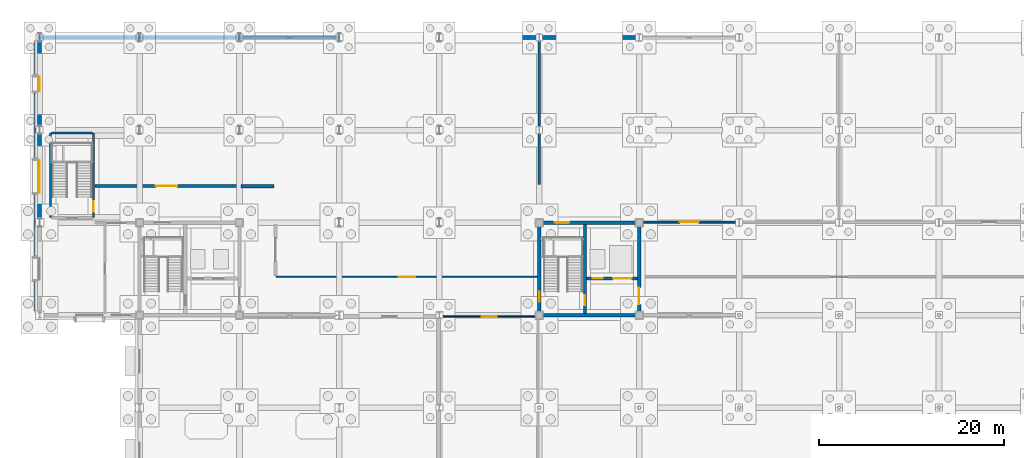
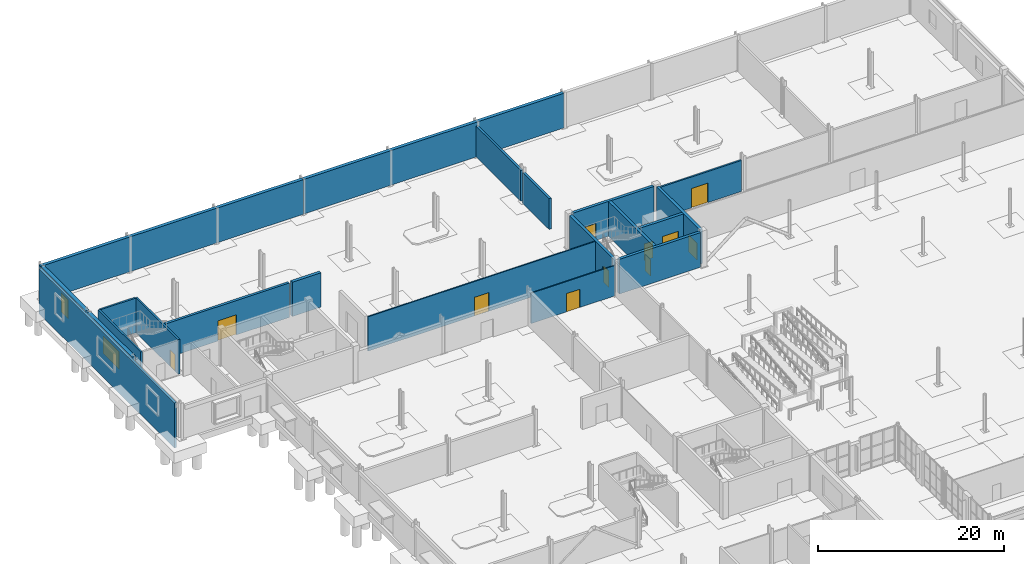
# One storey, part 56 of 73: 21 walls, 11 doors, 2 windows, 13 openings.
"""IFC4 building model written with IfcOpenShell, lengths in metres."""

from ifc_helpers import new_model, si_unit, direction, frame, frame_2d, origin, place, context, subcontext, project, spatial, rectangle, extrude, material, layer, layer_set, type_object, element, fill, save


model = new_model("IFC4")

# Units and contexts
model_context = context("Model", 3, precision=1e-05, world=origin(), true_north=direction((0.0, 1.0)))
body_context = subcontext(model_context, "Body", "Model", "MODEL_VIEW")
ifc_project = project(units=[si_unit("LENGTHUNIT", "METRE"), si_unit("AREAUNIT", "SQUARE_METRE"), si_unit("VOLUMEUNIT", "CUBIC_METRE"), si_unit("PLANEANGLEUNIT", "RADIAN"), si_unit("MASSUNIT", "GRAM", prefix="KILO")], contexts=[model_context])

# Site, building, storey
site_placement = place(None, origin())
site = spatial("IfcSite", under=ifc_project, at=site_placement, CompositionType="ELEMENT")
building_placement = place(site_placement, origin())
building = spatial("IfcBuilding", under=site, at=building_placement, Name="Tasgan Crest Museum", CompositionType="ELEMENT")
storey_placement = place(building_placement, origin())
storey = spatial("IfcBuildingStorey", under=building, at=storey_placement, Name="L00", CompositionType="ELEMENT", Elevation=0.0)

# Wall
ifc_material_1 = material(Name="Concrete C40/50", Category="concrete")
ifc_layer_1 = layer(ifc_material_1, 0.35009765625, Name="WL-CORE-350")
ifc_layer_set_1 = layer_set([ifc_layer_1], Name="Concrete C40/50")
wall_type_1 = type_object("IfcWallType", Name="WL-CORE-350", PredefinedType="SHEAR", material=ifc_layer_set_1)
wall_1_placement = place(storey_placement, frame((54.35009765625, 82.0, 0.0), z_axis=(0.0, 0.0, 1.0), x_axis=(1.0, 0.0, 0.0)))
element("IfcWall", 1, at=wall_1_placement, inside=storey, type_object=wall_type_1, Name="North-Central Sawtooth Core south shear wall L00", PredefinedType="SHEAR", context=body_context, shape_type="SweptSolid", body=[
    extrude(rectangle(XDim=10.099853515625, YDim=0.35009765625, at=frame_2d((5.0498046875, 0.0))), origin(), (0.0, 0.0, 1.0), 4.56005859375),
])

# Wall, opening, door
wall_2_placement = place(storey_placement, frame((54.35009765625, 92.0, 0.0), z_axis=(0.0, 0.0, 1.0), x_axis=(1.0, 0.0, 0.0)))
wall_2 = element("IfcWall", 2, at=wall_2_placement, inside=storey, type_object=wall_type_1, Name="North-Central Sawtooth Core north shear wall L00", PredefinedType="SHEAR", context=body_context, shape_type="SweptSolid", body=[
    extrude(rectangle(XDim=10.099853515625, YDim=0.35009765625, at=frame_2d((5.0498046875, 0.0))), origin(), (0.0, 0.0, 1.0), 4.56005859375),
])
opening_1_placement = place(wall_2_placement, frame((1.300048828125, 0.0, 0.0)))
opening_1 = element("IfcOpeningElement", 3, at=opening_1_placement, cuts=wall_2, Name="Opening EX-NC", PredefinedType="OPENING", context=body_context, shape_type="SweptSolid", body=[
    extrude(rectangle(XDim=1.60009765625, YDim=2.199951171875, at=frame_2d((0.800048828125, 1.10009765625))), frame((0.0, 0.18505859375, 0.0), z_axis=(0.0, -1.0, 0.0), x_axis=(1.0, 0.0, 0.0)), (0.0, 0.0, 1.0), 0.3701171875),
])
ifc_material_2 = material(Name="Fire-Rated Stair Exit Door")
door_type_1 = type_object("IfcDoorType", Name="DR-FD3-1600", OperationType="NOTDEFINED", PredefinedType="DOOR", material=ifc_material_2)
door_1_placement = place(opening_1_placement, origin())
door_1 = element("IfcDoor", 4, at=door_1_placement, inside=storey, type_object=door_type_1, Name="North-Central Sawtooth Core ground stair discharge door", OperationType="DOUBLE_DOOR_SINGLE_SWING", OverallHeight=2.199951171875, OverallWidth=1.60009765625, PredefinedType="DOOR", context=body_context, shape_type="SweptSolid", body=[
    extrude(rectangle(XDim=1.60009765625, YDim=2.199951171875, at=frame_2d((0.800048828125, 1.10009765625))), frame((0.0, 0.02490234375, 0.0), z_axis=(0.0, -1.0, 0.0), x_axis=(1.0, 0.0, 0.0)), (0.0, 0.0, 1.0), 0.050048828125),
])
fill(opening_1, door_1)

wall_3_placement = place(storey_placement, frame((54.0, 82.35009765625, 0.0), z_axis=(0.0, 0.0, 1.0), x_axis=(0.0, 1.0, 0.0)))
wall_3 = element("IfcWall", 5, at=wall_3_placement, inside=storey, type_object=wall_type_1, Name="North-Central Sawtooth Core west shear wall L00", PredefinedType="SHEAR", context=body_context, shape_type="SweptSolid", body=[
    extrude(rectangle(XDim=9.2998046875, YDim=0.35009765625, at=frame_2d((4.64990234375, 0.0))), origin(), (0.0, 0.0, 1.0), 4.56005859375),
])
opening_2_placement = place(wall_3_placement, frame((1.10009765625, 0.0, 0.0)))
opening_2 = element("IfcOpeningElement", 6, at=opening_2_placement, cuts=wall_3, Name="Opening SD-NC-L00W", PredefinedType="OPENING", context=body_context, shape_type="SweptSolid", body=[
    extrude(rectangle(XDim=1.10009765625, YDim=2.199951171875, at=frame_2d((0.550048828125, 1.10009765625))), frame((0.0, 0.18505859375, 0.0), z_axis=(0.0, -1.0, 0.0), x_axis=(1.0, 0.0, 0.0)), (0.0, 0.0, 1.0), 0.3701171875),
])
ifc_material_3 = material(Name="Fire-Rated Steel Door", Category="steel")
door_type_2 = type_object("IfcDoorType", Name="DR-FD1-1100", OperationType="NOTDEFINED", PredefinedType="DOOR", material=ifc_material_3)
door_2_placement = place(opening_2_placement, origin())
door_2 = element("IfcDoor", 7, at=door_2_placement, inside=storey, type_object=door_type_2, Name="North-Central Sawtooth Core stair west door L00", OperationType="SINGLE_SWING_LEFT", OverallHeight=2.199951171875, OverallWidth=1.10009765625, PredefinedType="DOOR", context=body_context, shape_type="SweptSolid", body=[
    extrude(rectangle(XDim=1.10009765625, YDim=2.199951171875, at=frame_2d((0.550048828125, 1.10009765625))), frame((0.0, 0.02490234375, 0.0), z_axis=(0.0, -1.0, 0.0), x_axis=(1.0, 0.0, 0.0)), (0.0, 0.0, 1.0), 0.050048828125),
])
fill(opening_2, door_2)

wall_4_placement = place(storey_placement, frame((64.800048828125, 82.35009765625, 0.0), z_axis=(0.0, 0.0, 1.0), x_axis=(0.0, 1.0, 0.0)))
wall_4 = element("IfcWall", 8, at=wall_4_placement, inside=storey, type_object=wall_type_1, Name="North-Central Sawtooth Core east shear wall L00", PredefinedType="SHEAR", context=body_context, shape_type="SweptSolid", body=[
    extrude(rectangle(XDim=9.2998046875, YDim=0.35009765625, at=frame_2d((4.64990234375, 0.0))), origin(), (0.0, 0.0, 1.0), 4.56005859375),
])
opening_3_placement = place(wall_4_placement, frame((0.830078125, 0.0, 0.0)))
opening_3 = element("IfcOpeningElement", 9, at=opening_3_placement, cuts=wall_4, Name="Opening LD-NC-L00", PredefinedType="OPENING", context=body_context, shape_type="SweptSolid", body=[
    extrude(rectangle(XDim=1.800048828125, YDim=2.25, at=frame_2d((0.89990234375, 1.125))), frame((0.0, 0.18505859375, 0.0), z_axis=(0.0, -1.0, 0.0), x_axis=(1.0, 0.0, 0.0)), (0.0, 0.0, 1.0), 0.3701171875),
])
ifc_material_4 = material(Name="Fire-Rated Double Lobby Door")
door_type_3 = type_object("IfcDoorType", Name="DR-FD2-1800", OperationType="NOTDEFINED", PredefinedType="DOOR", material=ifc_material_4)
door_3_placement = place(opening_3_placement, origin())
door_3 = element("IfcDoor", 10, at=door_3_placement, inside=storey, type_object=door_type_3, Name="North-Central Sawtooth Core lobby door L00", OperationType="DOUBLE_DOOR_SINGLE_SWING", OverallHeight=2.25, OverallWidth=1.800048828125, PredefinedType="DOOR", context=body_context, shape_type="SweptSolid", body=[
    extrude(rectangle(XDim=1.800048828125, YDim=2.25, at=frame_2d((0.89990234375, 1.125))), frame((0.0, 0.02490234375, 0.0), z_axis=(0.0, -1.0, 0.0), x_axis=(1.0, 0.0, 0.0)), (0.0, 0.0, 1.0), 0.050048828125),
])
fill(opening_3, door_3)

wall_5_placement = place(storey_placement, frame((58.949951171875, 82.175048828125, 0.0), z_axis=(0.0, 0.0, 1.0), x_axis=(0.0, 1.0, 0.0)))
wall_5 = element("IfcWall", 11, at=wall_5_placement, inside=storey, type_object=wall_type_1, Name="North-Central Sawtooth Core stair-lobby shear wall L00", PredefinedType="SHEAR", context=body_context, shape_type="SweptSolid", body=[
    extrude(rectangle(XDim=9.64990234375, YDim=0.35009765625, at=frame_2d((4.824951171875, 0.0))), origin(), (0.0, 0.0, 1.0), 4.56005859375),
])
opening_4_placement = place(wall_5_placement, frame((0.89990234375, 0.0, 0.0)))
opening_4 = element("IfcOpeningElement", 12, at=opening_4_placement, cuts=wall_5, Name="Opening SD-NC-L00", PredefinedType="OPENING", context=body_context, shape_type="SweptSolid", body=[
    extrude(rectangle(XDim=1.10009765625, YDim=2.199951171875, at=frame_2d((0.550048828125, 1.10009765625))), frame((0.0, 0.18505859375, 0.0), z_axis=(0.0, -1.0, 0.0), x_axis=(1.0, 0.0, 0.0)), (0.0, 0.0, 1.0), 0.3701171875),
])
door_4_placement = place(opening_4_placement, origin())
door_4 = element("IfcDoor", 13, at=door_4_placement, inside=storey, type_object=door_type_2, Name="North-Central Sawtooth Core stair door L00", OperationType="SINGLE_SWING_LEFT", OverallHeight=2.199951171875, OverallWidth=1.10009765625, PredefinedType="DOOR", context=body_context, shape_type="SweptSolid", body=[
    extrude(rectangle(XDim=1.10009765625, YDim=2.199951171875, at=frame_2d((0.550048828125, 1.10009765625))), frame((0.0, 0.02490234375, 0.0), z_axis=(0.0, -1.0, 0.0), x_axis=(1.0, 0.0, 0.0)), (0.0, 0.0, 1.0), 0.050048828125),
])
fill(opening_4, door_4)

# Wall, openings, doors
wall_6_placement = place(storey_placement, frame((59.1298828125, 85.949951171875, 0.0), z_axis=(0.0, 0.0, 1.0), x_axis=(1.0, 0.0, 0.0)))
wall_6 = element("IfcWall", 14, at=wall_6_placement, inside=storey, type_object=wall_type_1, Name="North-Central Sawtooth Core lift-shaft wall L00", PredefinedType="SHEAR", context=body_context, shape_type="SweptSolid", body=[
    extrude(rectangle(XDim=5.490234375, YDim=0.35009765625, at=frame_2d((2.7451171875, 0.0))), origin(), (0.0, 0.0, 1.0), 4.56005859375),
])
opening_5_placement = place(wall_6_placement, frame((0.64990234375, 0.0, 0.0)))
opening_5 = element("IfcOpeningElement", 15, at=opening_5_placement, cuts=wall_6, Name="Opening LD-FL2", PredefinedType="OPENING", context=body_context, shape_type="SweptSolid", body=[
    extrude(rectangle(XDim=1.10009765625, YDim=2.199951171875, at=frame_2d((0.550048828125, 1.10009765625))), frame((0.0, 0.18505859375, 0.0), z_axis=(0.0, -1.0, 0.0), x_axis=(1.0, 0.0, 0.0)), (0.0, 0.0, 1.0), 0.3701171875),
])
opening_6_placement = place(wall_6_placement, frame((2.85009765625, 0.0, 0.0)))
opening_6 = element("IfcOpeningElement", 16, at=opening_6_placement, cuts=wall_6, Name="Opening LD-GL1", PredefinedType="OPENING", context=body_context, shape_type="SweptSolid", body=[
    extrude(rectangle(XDim=2.0, YDim=2.5, at=frame_2d((1.0, 1.25))), frame((0.0, 0.18505859375, 0.0), z_axis=(0.0, -1.0, 0.0), x_axis=(1.0, 0.0, 0.0)), (0.0, 0.0, 1.0), 0.3701171875),
])
ifc_material_5 = material(Name="Stainless Steel Firefighting Lift Landing Door", Category="steel")
door_type_4 = type_object("IfcDoorType", Name="LD-FF-1100", OperationType="NOTDEFINED", PredefinedType="DOOR", material=ifc_material_5)
door_5_placement = place(opening_5_placement, origin())
door_5 = element("IfcDoor", 17, at=door_5_placement, inside=storey, type_object=door_type_4, Name="Firefighting lift landing door FL2 L00", OperationType="DOUBLE_DOOR_SLIDING", OverallHeight=2.199951171875, OverallWidth=1.10009765625, PredefinedType="DOOR", context=body_context, shape_type="SweptSolid", body=[
    extrude(rectangle(XDim=1.10009765625, YDim=2.199951171875, at=frame_2d((0.550048828125, 1.10009765625))), frame((0.0, 0.02490234375, 0.0), z_axis=(0.0, -1.0, 0.0), x_axis=(1.0, 0.0, 0.0)), (0.0, 0.0, 1.0), 0.050048828125),
])
fill(opening_5, door_5)
ifc_material_6 = material(Name="Heavy-Duty Bi-Parting Goods Lift Landing Door")
door_type_5 = type_object("IfcDoorType", Name="LD-GDS-2000", OperationType="NOTDEFINED", PredefinedType="DOOR", material=ifc_material_6)
door_6_placement = place(opening_6_placement, origin())
door_6 = element("IfcDoor", 18, at=door_6_placement, inside=storey, type_object=door_type_5, Name="Lift landing sliding door GL1 L00", OperationType="DOUBLE_DOOR_SLIDING", OverallHeight=2.5, OverallWidth=2.0, PredefinedType="DOOR", context=body_context, shape_type="SweptSolid", body=[
    extrude(rectangle(XDim=2.0, YDim=2.5, at=frame_2d((1.0, 1.25))), frame((0.0, 0.02490234375, 0.0), z_axis=(0.0, -1.0, 0.0), x_axis=(1.0, 0.0, 0.0)), (0.0, 0.0, 1.0), 0.050048828125),
])
fill(opening_6, door_6)

# Wall, opening, window
ifc_material_7 = material(Name="Precast concrete C40/50", Category="concrete")
ifc_layer_2 = layer(ifc_material_7, 0.449951171875, Name="WL-EXT-LIME-450")
ifc_layer_set_2 = layer_set([ifc_layer_2], Name="Precast concrete C40/50")
wall_type_2 = type_object("IfcWallType", Name="WL-EXT-LIME-450", PredefinedType="STANDARD", material=ifc_layer_set_2)
wall_7_placement = place(storey_placement, frame((0.0, 111.85498046875, 0.0), z_axis=(0.0, 0.0, 1.0), x_axis=(0.0, -1.0, 0.0)))
wall_7 = element("IfcWall", 19, at=wall_7_placement, inside=storey, type_object=wall_type_2, Name="Exterior wall L00 (0.0,107.0)", PredefinedType="STANDARD", context=body_context, shape_type="SweptSolid", body=[
    extrude(rectangle(XDim=9.7099609375, YDim=0.449951171875, at=frame_2d((4.85498046875, 0.0))), origin(), (0.0, 0.0, 1.0), 4.56005859375),
])
opening_7_placement = place(wall_7_placement, frame((4.080078125, 0.0, 1.0)))
opening_7 = element("IfcOpeningElement", 20, at=opening_7_placement, cuts=wall_7, Name="Opening W34", PredefinedType="OPENING", context=body_context, shape_type="SweptSolid", body=[
    extrude(rectangle(XDim=1.550048828125, YDim=2.5, at=frame_2d((0.77490234375, 1.25))), frame((0.0, 0.23486328125, 0.0), z_axis=(0.0, -1.0, 0.0), x_axis=(1.0, 0.0, 0.0)), (0.0, 0.0, 1.0), 0.469970703125),
])
ifc_material_8 = material(Name="Thermally Broken Triple-Glazed Aluminium", Category="aluminium")
window_type_1 = type_object("IfcWindowType", Name="WN-GAL-1550X2500", PartitioningType="SINGLE_PANEL", PredefinedType="WINDOW", material=ifc_material_8)
window_1_placement = place(opening_7_placement, origin())
window_1 = element("IfcWindow", 21, at=window_1_placement, inside=storey, type_object=window_type_1, Name="Window W34 L00-016", OverallHeight=2.5, OverallWidth=1.550048828125, PartitioningType="SINGLE_PANEL", PredefinedType="WINDOW", context=body_context, shape_type="SweptSolid", body=[
    extrude(rectangle(XDim=1.550048828125, YDim=2.5, at=frame_2d((0.77490234375, 1.25))), frame((0.0, 0.030029296875, 0.0), z_axis=(0.0, -1.0, 0.0), x_axis=(1.0, 0.0, 0.0)), (0.0, 0.0, 1.0), 0.06005859375),
])
fill(opening_7, window_1)

wall_8_placement = place(storey_placement, frame((0.0, 101.85498046875, 0.0), z_axis=(0.0, 0.0, 1.0), x_axis=(0.0, -1.0, 0.0)))
wall_8 = element("IfcWall", 22, at=wall_8_placement, inside=storey, type_object=wall_type_2, Name="Exterior wall L00 (0.0,97.0)", PredefinedType="STANDARD", context=body_context, shape_type="SweptSolid", body=[
    extrude(rectangle(XDim=9.7099609375, YDim=0.449951171875, at=frame_2d((4.85498046875, 0.0))), origin(), (0.0, 0.0, 1.0), 4.56005859375),
])
opening_8_placement = place(wall_8_placement, frame((3.10498046875, 0.0, 1.0)))
opening_8 = element("IfcOpeningElement", 23, at=opening_8_placement, cuts=wall_8, Name="Opening W32", PredefinedType="OPENING", context=body_context, shape_type="SweptSolid", body=[
    extrude(rectangle(XDim=3.5, YDim=2.300048828125, at=frame_2d((1.75, 1.14990234375))), frame((0.0, 0.23486328125, 0.0), z_axis=(0.0, -1.0, 0.0), x_axis=(1.0, 0.0, 0.0)), (0.0, 0.0, 1.0), 0.469970703125),
])
ifc_material_9 = material(Name="Thermally Broken Triple-Glazed Aluminium", Category="aluminium")
window_type_2 = type_object("IfcWindowType", Name="WN-GAL-3500X2300", PartitioningType="SINGLE_PANEL", PredefinedType="WINDOW", material=ifc_material_9)
window_2_placement = place(opening_8_placement, origin())
window_2 = element("IfcWindow", 24, at=window_2_placement, inside=storey, type_object=window_type_2, Name="Window W32 L00-017", OverallHeight=2.300048828125, OverallWidth=3.5, PartitioningType="SINGLE_PANEL", PredefinedType="WINDOW", context=body_context, shape_type="SweptSolid", body=[
    extrude(rectangle(XDim=3.5, YDim=2.300048828125, at=frame_2d((1.75, 1.14990234375))), frame((0.0, 0.030029296875, 0.0), z_axis=(0.0, -1.0, 0.0), x_axis=(1.0, 0.0, 0.0)), (0.0, 0.0, 1.0), 0.06005859375),
])
fill(opening_8, window_2)

# Walls
ifc_material_10 = material(Name="Precast concrete C40/50", Category="concrete")
ifc_layer_3 = layer(ifc_material_10, 0.260009765625, Name="WL-PARAPET-260")
ifc_layer_set_3 = layer_set([ifc_layer_3], Name="Precast concrete C40/50")
wall_type_3 = type_object("IfcWallType", Name="WL-PARAPET-260", PredefinedType="PARAPET", material=ifc_layer_set_3)
wall_9_placement = place(storey_placement, frame((-0.429931640625, 82.449951171875, -1.3798828125), z_axis=(0.0, 0.0, 1.0), x_axis=(0.0, 1.0, 0.0)))
element("IfcWall", 25, at=wall_9_placement, inside=storey, type_object=wall_type_3, Name="Stepped hillside stone plinth W-NORTH-SLOPE", PredefinedType="PARAPET", context=body_context, shape_type="SweptSolid", body=[
    extrude(rectangle(XDim=29.10009765625, YDim=0.260009765625, at=frame_2d((14.550048828125, 0.0))), origin(), (0.0, 0.0, 1.0), 5.919921875),
])
ifc_material_11 = material(Name="Concrete C40/50", Category="concrete")
ifc_layer_4 = layer(ifc_material_11, 0.39990234375, Name="WL-RET-400")
ifc_layer_set_4 = layer_set([ifc_layer_4], Name="Concrete C40/50")
wall_type_4 = type_object("IfcWallType", Name="WL-RET-400", PredefinedType="USERDEFINED", material=ifc_layer_set_4)
wall_10_placement = place(storey_placement, frame((-0.219970703125, 112.0, 0.0), z_axis=(0.0, 0.0, 1.0), x_axis=(1.0, 0.0, 0.0)))
element("IfcWall", 26, at=wall_10_placement, inside=storey, type_object=wall_type_4, Name="Hillside retaining wall L00 N bay 1", ObjectType="RETAININGWALL", PredefinedType="USERDEFINED", context=body_context, shape_type="SweptSolid", body=[
    extrude(rectangle(XDim=32.619873046875, YDim=0.39990234375, at=frame_2d((16.31005859375, 0.0))), origin(), (0.0, 0.0, 1.0), 4.56005859375),
])
wall_11_placement = place(storey_placement, frame((32.39990234375, 112.0, 0.0), z_axis=(0.0, 0.0, 1.0), x_axis=(1.0, 0.0, 0.0)))
element("IfcWall", 27, at=wall_11_placement, inside=storey, type_object=wall_type_4, Name="Hillside retaining wall L00 N bay 2", ObjectType="RETAININGWALL", PredefinedType="USERDEFINED", context=body_context, shape_type="SweptSolid", body=[
    extrude(rectangle(XDim=32.400146484375, YDim=0.39990234375, at=frame_2d((16.2001953125, 0.0))), origin(), (0.0, 0.0, 1.0), 4.56005859375),
])

# Wall, opening, door
ifc_material_12 = material(Name="Gypsum Acoustic Museum Partition")
ifc_layer_5 = layer(ifc_material_12, 0.1298828125, Name="WL-SCH-02")
ifc_layer_set_5 = layer_set([ifc_layer_5], Name="Gypsum Acoustic Museum Partition")
wall_type_5 = type_object("IfcWallType", Name="WL-SCH-02", PredefinedType="PARTITIONING", material=ifc_layer_set_5)
wall_12_placement = place(storey_placement, frame((43.3798828125, 81.85009765625, 0.0), z_axis=(0.0, 0.0, 1.0), x_axis=(1.0, 0.0, 0.0)))
wall_12 = element("IfcWall", 28, at=wall_12_placement, inside=storey, type_object=wall_type_5, Name="Partition Public Seminar Room / North Gallery Spine Corridor L00", PredefinedType="PARTITIONING", context=body_context, shape_type="SweptSolid", body=[
    extrude(rectangle(XDim=10.440185546875, YDim=0.1298828125, at=frame_2d((5.22021484375, 0.0))), origin(), (0.0, 0.0, 1.0), 3.989013671875),
])
opening_9_placement = place(wall_12_placement, frame((4.39501953125, 0.0, 0.0)))
opening_9 = element("IfcOpeningElement", 29, at=opening_9_placement, cuts=wall_12, Name="Opening D011", PredefinedType="OPENING", context=body_context, shape_type="SweptSolid", body=[
    extrude(rectangle(XDim=1.64990234375, YDim=2.39990234375, at=frame_2d((0.824951171875, 1.199951171875))), frame((0.0, 0.074951171875, 0.0), z_axis=(0.0, -1.0, 0.0), x_axis=(1.0, 0.0, 0.0)), (0.0, 0.0, 1.0), 0.14990234375),
])
ifc_material_13 = material(Name="Oak and Brushed Bronze Acoustic Door")
door_type_6 = type_object("IfcDoorType", Name="DR-SCH-11", OperationType="NOTDEFINED", PredefinedType="DOOR", material=ifc_material_13)
door_7_placement = place(opening_9_placement, origin())
door_7 = element("IfcDoor", 30, at=door_7_placement, inside=storey, type_object=door_type_6, Name="Public Seminar Room door D011", OperationType="SINGLE_SWING_RIGHT", OverallHeight=2.39990234375, OverallWidth=1.64990234375, PredefinedType="DOOR", context=body_context, shape_type="SweptSolid", body=[
    extrude(rectangle(XDim=1.64990234375, YDim=2.39990234375, at=frame_2d((0.824951171875, 1.199951171875))), frame((0.0, 0.02490234375, 0.0), z_axis=(0.0, -1.0, 0.0), x_axis=(1.0, 0.0, 0.0)), (0.0, 0.0, 1.0), 0.050048828125),
])
fill(opening_9, door_7)

ifc_material_14 = material(Name="Gypsum Acoustic Museum Partition")
ifc_layer_6 = layer(ifc_material_14, 0.14990234375, Name="WL-SCH-03")
ifc_layer_set_6 = layer_set([ifc_layer_6], Name="Gypsum Acoustic Museum Partition")
wall_type_6 = type_object("IfcWallType", Name="WL-SCH-03", PredefinedType="PARTITIONING", material=ifc_layer_set_6)
wall_13_placement = place(storey_placement, frame((25.60009765625, 86.14990234375, 0.0), z_axis=(0.0, 0.0, 1.0), x_axis=(1.0, 0.0, 0.0)))
wall_13 = element("IfcWall", 31, at=wall_13_placement, inside=storey, type_object=wall_type_6, Name="Partition North Gallery Spine Corridor / Steppe Mineral Display Gallery L00", PredefinedType="PARTITIONING", context=body_context, shape_type="SweptSolid", body=[
    extrude(rectangle(XDim=28.219970703125, YDim=0.14990234375, at=frame_2d((14.10986328125, 0.0))), origin(), (0.0, 0.0, 1.0), 4.52001953125),
])
opening_10_placement = place(wall_13_placement, frame((13.235107421875, 0.0, 0.0)))
opening_10 = element("IfcOpeningElement", 32, at=opening_10_placement, cuts=wall_13, Name="Opening D012", PredefinedType="OPENING", context=body_context, shape_type="SweptSolid", body=[
    extrude(rectangle(XDim=1.75, YDim=2.449951171875, at=frame_2d((0.875, 1.22509765625))), frame((0.0, 0.0849609375, 0.0), z_axis=(0.0, -1.0, 0.0), x_axis=(1.0, 0.0, 0.0)), (0.0, 0.0, 1.0), 0.169921875),
])
ifc_material_15 = material(Name="Oak and Brushed Bronze Acoustic Door")
door_type_7 = type_object("IfcDoorType", Name="DR-SCH-12", OperationType="NOTDEFINED", PredefinedType="DOOR", material=ifc_material_15)
door_8_placement = place(opening_10_placement, origin())
door_8 = element("IfcDoor", 33, at=door_8_placement, inside=storey, type_object=door_type_7, Name="Steppe Mineral Display Gallery door D012", OperationType="SINGLE_SWING_LEFT", OverallHeight=2.449951171875, OverallWidth=1.75, PredefinedType="DOOR", context=body_context, shape_type="SweptSolid", body=[
    extrude(rectangle(XDim=1.75, YDim=2.449951171875, at=frame_2d((0.875, 1.22509765625))), frame((0.0, 0.02490234375, 0.0), z_axis=(0.0, -1.0, 0.0), x_axis=(1.0, 0.0, 0.0)), (0.0, 0.0, 1.0), 0.050048828125),
])
fill(opening_10, door_8)

ifc_material_16 = material(Name="Gypsum Acoustic Museum Partition")
ifc_layer_7 = layer(ifc_material_16, 0.2099609375, Name="WL-SCH-06")
ifc_layer_set_7 = layer_set([ifc_layer_7], Name="Gypsum Acoustic Museum Partition")
wall_type_7 = type_object("IfcWallType", Name="WL-SCH-06", PredefinedType="PARTITIONING", material=ifc_layer_set_7)
wall_14_placement = place(storey_placement, frame((64.97998046875, 92.050048828125, 0.0), z_axis=(0.0, 0.0, 1.0), x_axis=(1.0, 0.0, 0.0)))
wall_14 = element("IfcWall", 34, at=wall_14_placement, inside=storey, type_object=wall_type_7, Name="Partition Paleoecology Study Gallery / Gobi Fossil Discovery Gallery L00", PredefinedType="PARTITIONING", context=body_context, shape_type="SweptSolid", body=[
    extrude(rectangle(XDim=10.419921875, YDim=0.2099609375, at=frame_2d((5.2099609375, 0.0))), origin(), (0.0, 0.0, 1.0), 4.069091796875),
])
opening_11_placement = place(wall_14_placement, frame((4.18505859375, 0.0, 0.0)))
opening_11 = element("IfcOpeningElement", 35, at=opening_11_placement, cuts=wall_14, Name="Opening D015", PredefinedType="OPENING", context=body_context, shape_type="SweptSolid", body=[
    extrude(rectangle(XDim=2.050048828125, YDim=2.550048828125, at=frame_2d((1.02490234375, 1.27490234375))), frame((0.0, 0.114990234375, 0.0), z_axis=(0.0, -1.0, 0.0), x_axis=(1.0, 0.0, 0.0)), (0.0, 0.0, 1.0), 0.22998046875),
])
ifc_material_17 = material(Name="Oak and Brushed Bronze Acoustic Door")
door_type_8 = type_object("IfcDoorType", Name="DR-SCH-15", OperationType="NOTDEFINED", PredefinedType="DOOR", material=ifc_material_17)
door_9_placement = place(opening_11_placement, origin())
door_9 = element("IfcDoor", 36, at=door_9_placement, inside=storey, type_object=door_type_8, Name="Gobi Fossil Discovery Gallery door D015", OperationType="DOUBLE_DOOR_SINGLE_SWING", OverallHeight=2.550048828125, OverallWidth=2.050048828125, PredefinedType="DOOR", context=body_context, shape_type="SweptSolid", body=[
    extrude(rectangle(XDim=2.050048828125, YDim=2.550048828125, at=frame_2d((1.02490234375, 1.27490234375))), frame((0.0, 0.02490234375, 0.0), z_axis=(0.0, -1.0, 0.0), x_axis=(1.0, 0.0, 0.0)), (0.0, 0.0, 1.0), 0.050048828125),
])
fill(opening_11, door_9)

# Walls
ifc_material_18 = material(Name="Gypsum Acoustic Museum Partition")
ifc_layer_8 = layer(ifc_material_18, 0.27001953125, Name="WL-SCH-08")
ifc_layer_set_8 = layer_set([ifc_layer_8], Name="Gypsum Acoustic Museum Partition")
wall_type_8 = type_object("IfcWallType", Name="WL-SCH-08", PredefinedType="PARTITIONING", material=ifc_layer_set_8)
wall_15_placement = place(storey_placement, frame((54.0, 96.10009765625, 0.0), z_axis=(0.0, 0.0, 1.0), x_axis=(0.0, 1.0, 0.0)))
element("IfcWall", 37, at=wall_15_placement, inside=storey, type_object=wall_type_8, Name="Partition Earth Sciences Exhibition Gallery / Gobi Fossil Discovery Gallery L00", PredefinedType="PARTITIONING", context=body_context, shape_type="SweptSolid", body=[
    extrude(rectangle(XDim=5.699951171875, YDim=0.27001953125, at=frame_2d((2.85009765625, 0.0))), origin(), (0.0, 0.0, 1.0), 4.06005859375),
])
wall_16_placement = place(storey_placement, frame((54.0, 102.199951171875, 0.0), z_axis=(0.0, 0.0, 1.0), x_axis=(0.0, 1.0, 0.0)))
element("IfcWall", 38, at=wall_16_placement, inside=storey, type_object=wall_type_8, Name="Partition Earth Sciences Exhibition Gallery / Gobi Fossil Discovery Gallery L00", PredefinedType="PARTITIONING", context=body_context, shape_type="SweptSolid", body=[
    extrude(rectangle(XDim=9.6201171875, YDim=0.27001953125, at=frame_2d((4.81005859375, 0.0))), origin(), (0.0, 0.0, 1.0), 4.06005859375),
])

# Wall, opening, door
ifc_material_19 = material(Name="Gypsum Acoustic Museum Partition")
ifc_layer_9 = layer(ifc_material_19, 0.31005859375, Name="WL-SCH-10")
ifc_layer_set_9 = layer_set([ifc_layer_9], Name="Gypsum Acoustic Museum Partition")
wall_type_9 = type_object("IfcWallType", Name="WL-SCH-10", PredefinedType="PARTITIONING", material=ifc_layer_set_9)
wall_17_placement = place(storey_placement, frame((6.0, 95.949951171875, 0.0), z_axis=(0.0, 0.0, 1.0), x_axis=(1.0, 0.0, 0.0)))
wall_17 = element("IfcWall", 39, at=wall_17_placement, inside=storey, type_object=wall_type_9, Name="Partition L00 North-West Stair Link Corridor / Earth Sciences Exhibition Gallery L00", PredefinedType="PARTITIONING", context=body_context, shape_type="SweptSolid", body=[
    extrude(rectangle(XDim=15.419921875, YDim=0.31005859375, at=frame_2d((7.7099609375, 0.0))), origin(), (0.0, 0.0, 1.0), 4.52001953125),
])
opening_12_placement = place(wall_17_placement, frame((6.56005859375, 0.0, 0.0)))
opening_12 = element("IfcOpeningElement", 40, at=opening_12_placement, cuts=wall_17, Name="Opening D017", PredefinedType="OPENING", context=body_context, shape_type="SweptSolid", body=[
    extrude(rectangle(XDim=2.300048828125, YDim=2.64990234375, at=frame_2d((1.14990234375, 1.324951171875))), frame((0.0, 0.1650390625, 0.0), z_axis=(0.0, -1.0, 0.0), x_axis=(1.0, 0.0, 0.0)), (0.0, 0.0, 1.0), 0.330078125),
])
ifc_material_20 = material(Name="Oak and Brushed Bronze Acoustic Door")
door_type_9 = type_object("IfcDoorType", Name="DR-SCH-17", OperationType="NOTDEFINED", PredefinedType="DOOR", material=ifc_material_20)
door_10_placement = place(opening_12_placement, origin())
door_10 = element("IfcDoor", 41, at=door_10_placement, inside=storey, type_object=door_type_9, Name="Earth Sciences Exhibition Gallery door D017", OperationType="DOUBLE_DOOR_SINGLE_SWING", OverallHeight=2.64990234375, OverallWidth=2.300048828125, PredefinedType="DOOR", context=body_context, shape_type="SweptSolid", body=[
    extrude(rectangle(XDim=2.300048828125, YDim=2.64990234375, at=frame_2d((1.14990234375, 1.324951171875))), frame((0.0, 0.02490234375, 0.0), z_axis=(0.0, -1.0, 0.0), x_axis=(1.0, 0.0, 0.0)), (0.0, 0.0, 1.0), 0.050048828125),
])
fill(opening_12, door_10)

# Walls
ifc_material_21 = material(Name="Gypsum Acoustic Museum Partition")
ifc_layer_10 = layer(ifc_material_21, 0.3701171875, Name="WL-SCH-12")
ifc_layer_set_10 = layer_set([ifc_layer_10], Name="Gypsum Acoustic Museum Partition")
wall_type_10 = type_object("IfcWallType", Name="WL-SCH-12", PredefinedType="PARTITIONING", material=ifc_layer_set_10)
wall_18_placement = place(storey_placement, frame((21.780029296875, 95.949951171875, 0.0), z_axis=(0.0, 0.0, 1.0), x_axis=(1.0, 0.0, 0.0)))
element("IfcWall", 42, at=wall_18_placement, inside=storey, type_object=wall_type_10, Name="Partition L00 West Core Link Corridor / Earth Sciences Exhibition Gallery L00", PredefinedType="PARTITIONING", context=body_context, shape_type="SweptSolid", body=[
    extrude(rectangle(XDim=3.570068359375, YDim=0.3701171875, at=frame_2d((1.78515625, 0.0))), origin(), (0.0, 0.0, 1.0), 4.52001953125),
])
ifc_material_22 = material(Name="Concrete C40/50", Category="concrete")
ifc_layer_11 = layer(ifc_material_22, 0.219970703125, Name="WL-SHAFT-220")
ifc_layer_set_11 = layer_set([ifc_layer_11], Name="Concrete C40/50")
wall_type_11 = type_object("IfcWallType", Name="WL-SHAFT-220", PredefinedType="SHEAR", material=ifc_layer_set_11)
wall_19_placement = place(storey_placement, frame((1.179931640625, 92.530029296875, 0.0), z_axis=(0.0, 0.0, 1.0), x_axis=(0.0, 1.0, 0.0)))
element("IfcWall", 43, at=wall_19_placement, inside=storey, type_object=wall_type_11, Name="GALW stairwell wall L00 W", PredefinedType="SHEAR", context=body_context, shape_type="SweptSolid", body=[
    extrude(rectangle(XDim=9.139892578125, YDim=0.219970703125, at=frame_2d((4.56982421875, 0.0))), origin(), (0.0, 0.0, 1.0), 4.56005859375),
])

# Wall, opening, door
wall_20_placement = place(storey_placement, frame((5.820068359375, 92.530029296875, 0.0), z_axis=(0.0, 0.0, 1.0), x_axis=(0.0, 1.0, 0.0)))
wall_20 = element("IfcWall", 44, at=wall_20_placement, inside=storey, type_object=wall_type_11, Name="GALW stairwell wall L00 E", PredefinedType="SHEAR", context=body_context, shape_type="SweptSolid", body=[
    extrude(rectangle(XDim=9.139892578125, YDim=0.219970703125, at=frame_2d((4.56982421875, 0.0))), origin(), (0.0, 0.0, 1.0), 4.56005859375),
])
opening_13_placement = place(wall_20_placement, frame((0.669921875, 0.0, 0.0)))
opening_13 = element("IfcOpeningElement", 45, at=opening_13_placement, cuts=wall_20, Name="Opening SD-GA-L00E", PredefinedType="OPENING", context=body_context, shape_type="SweptSolid", body=[
    extrude(rectangle(XDim=1.10009765625, YDim=2.199951171875, at=frame_2d((0.550048828125, 1.10009765625))), frame((0.0, 0.119873046875, 0.0), z_axis=(0.0, -1.0, 0.0), x_axis=(1.0, 0.0, 0.0)), (0.0, 0.0, 1.0), 0.239990234375),
])
door_11_placement = place(opening_13_placement, frame((1.10009765625, 0.0, 0.0), z_axis=(0.0, 0.0, 1.0), x_axis=(-1.0, 0.0, 0.0)))
door_11 = element("IfcDoor", 46, at=door_11_placement, inside=storey, type_object=door_type_2, Name="GALW protected stair link door L00", OperationType="SINGLE_SWING_RIGHT", OverallHeight=2.199951171875, OverallWidth=1.10009765625, PredefinedType="DOOR", context=body_context, shape_type="SweptSolid", body=[
    extrude(rectangle(XDim=1.10009765625, YDim=2.199951171875, at=frame_2d((0.550048828125, 1.10009765625))), frame((0.0, 0.02490234375, 0.0), z_axis=(0.0, -1.0, 0.0), x_axis=(1.0, 0.0, 0.0)), (0.0, 0.0, 1.0), 0.050048828125),
])
fill(opening_13, door_11)

# Wall
wall_21_placement = place(storey_placement, frame((1.300048828125, 101.669921875, 0.0), z_axis=(0.0, 0.0, 1.0), x_axis=(1.0, 0.0, 0.0)))
element("IfcWall", 47, at=wall_21_placement, inside=storey, type_object=wall_type_11, Name="GALW stairwell wall L00 N", PredefinedType="SHEAR", context=body_context, shape_type="SweptSolid", body=[
    extrude(rectangle(XDim=4.39990234375, YDim=0.219970703125, at=frame_2d((2.199951171875, 0.0))), origin(), (0.0, 0.0, 1.0), 4.56005859375),
])

save(model, "model.ifc")
